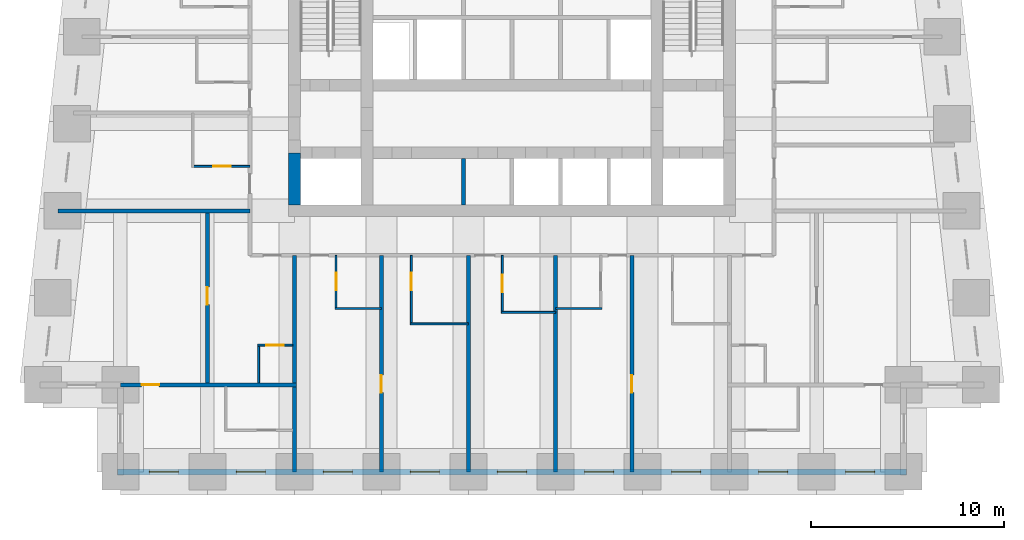
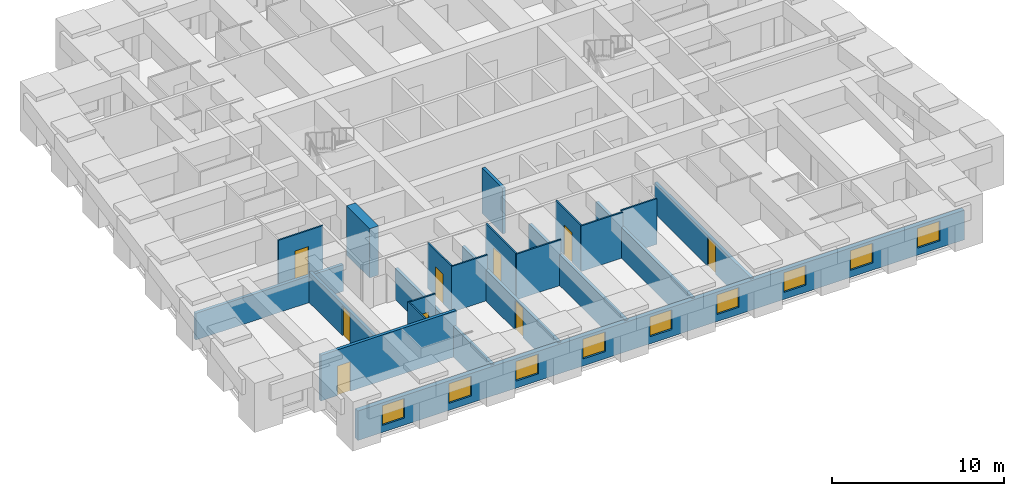
# One storey, part 2 of 8: 21 walls, 9 doors, 9 windows, 18 openings.
"""IFC4 building model written with IfcOpenShell, lengths in metres."""

from ifc_helpers import new_model, si_unit, direction, frame, frame_2d, origin, place, context, subcontext, project, spatial, rectangle, extrude, material, layer, layer_set, type_object, element, fill, save


model = new_model("IFC4")

# Units and contexts
model_context = context("Model", 3, precision=1e-05, world=origin(), true_north=direction((0.0, 1.0)))
body_context = subcontext(model_context, "Body", "Model", "MODEL_VIEW")
ifc_project = project(units=[si_unit("LENGTHUNIT", "METRE"), si_unit("AREAUNIT", "SQUARE_METRE"), si_unit("VOLUMEUNIT", "CUBIC_METRE"), si_unit("PLANEANGLEUNIT", "RADIAN"), si_unit("MASSUNIT", "GRAM", prefix="KILO")], contexts=[model_context])

# Site, building, storey
site_placement = place(None, origin())
site = spatial("IfcSite", under=ifc_project, at=site_placement, CompositionType="ELEMENT")
building_placement = place(site_placement, origin())
building = spatial("IfcBuilding", under=site, at=building_placement, Name="Kilele Tower Hotel", CompositionType="ELEMENT")
storey_placement = place(building_placement, frame((0.0, 0.0, 142.39990234375)))
storey = spatial("IfcBuildingStorey", under=building, at=storey_placement, Name="L37", CompositionType="ELEMENT", Elevation=142.39990234375)

# Wall
ifc_material_1 = material(Name="Moisture-resistant board")
ifc_layer_1 = layer(ifc_material_1, 0.10009765625)
ifc_layer_set_1 = layer_set([ifc_layer_1], Name="Moisture-resistant board")
wall_type_1 = type_object("IfcWallType", Name="Bathroom partition 100", PredefinedType="PLUMBINGWALL", material=ifc_layer_set_1)
wall_1_placement = place(storey_placement, frame((15.60009765625, 8.449951171875, 0.0), z_axis=(0.0, 0.0, 1.0), x_axis=(1.0, 0.0, 0.0)))
element("IfcWall", 1, at=wall_1_placement, inside=storey, type_object=wall_type_1, Name="Bathroom partition 100 L37", PredefinedType="PLUMBINGWALL", context=body_context, shape_type="SweptSolid", body=[
    extrude(rectangle(XDim=2.39990234375, YDim=0.10009765625, at=frame_2d((1.199951171875, 0.0))), origin(), (0.0, 0.0, 1.0), 3.25),
])

# Wall, opening, door
wall_2_placement = place(storey_placement, frame((15.64990234375, 11.199951171875, 0.0), z_axis=(0.0, 0.0, 1.0), x_axis=(0.0, -1.0, 0.0)))
wall_2 = element("IfcWall", 2, at=wall_2_placement, inside=storey, type_object=wall_type_1, Name="Bathroom partition 100 L37", PredefinedType="PLUMBINGWALL", context=body_context, shape_type="SweptSolid", body=[
    extrude(rectangle(XDim=2.800048828125, YDim=0.10009765625, at=frame_2d((1.39990234375, 0.0))), origin(), (0.0, 0.0, 1.0), 3.25),
])
opening_1_placement = place(wall_2_placement, frame((1.7998046875, 0.0, 0.0), z_axis=(0.0, 0.0, 1.0), x_axis=(-1.0, 0.0, 0.0)))
opening_1 = element("IfcOpeningElement", 3, at=opening_1_placement, cuts=wall_2, Name="Opening D2A", PredefinedType="OPENING", context=body_context, shape_type="SweptSolid", body=[
    extrude(rectangle(XDim=0.89990234375, YDim=2.10009765625, at=frame_2d((0.449951171875, 1.050048828125))), frame((0.0, 0.06005859375, 0.0), z_axis=(0.0, -1.0, 0.0), x_axis=(1.0, 0.0, 0.0)), (0.0, 0.0, 1.0), 0.1201171875),
])
ifc_material_2 = material(Name="Timber door leaf in hardwood frame", Category="wood")
door_type_1 = type_object("IfcDoorType", Name="Bathroom door 900", OperationType="SINGLE_SWING_LEFT", PredefinedType="DOOR", material=ifc_material_2)
door_1_placement = place(opening_1_placement, origin())
door_1 = element("IfcDoor", 4, at=door_1_placement, inside=storey, type_object=door_type_1, Name="Bathroom door 3701B", OperationType="SINGLE_SWING_RIGHT", OverallHeight=2.10009765625, OverallWidth=0.89990234375, PredefinedType="DOOR", context=body_context, shape_type="SweptSolid", body=[
    extrude(rectangle(XDim=0.89990234375, YDim=2.10009765625, at=frame_2d((0.449951171875, 1.050048828125))), frame((0.0, 0.02490234375, 0.0), z_axis=(0.0, -1.0, 0.0), x_axis=(1.0, 0.0, 0.0)), (0.0, 0.0, 1.0), 0.050048828125),
])
fill(opening_1, door_1)

# Wall
wall_3_placement = place(storey_placement, frame((19.5, 7.64990234375, 0.0), z_axis=(0.0, 0.0, 1.0), x_axis=(1.0, 0.0, 0.0)))
element("IfcWall", 5, at=wall_3_placement, inside=storey, type_object=wall_type_1, Name="Bathroom partition 100 L37", PredefinedType="PLUMBINGWALL", context=body_context, shape_type="SweptSolid", body=[
    extrude(rectangle(XDim=3.0, YDim=0.10009765625, at=frame_2d((1.5, 0.0))), origin(), (0.0, 0.0, 1.0), 3.25),
])

# Wall, opening, door
wall_4_placement = place(storey_placement, frame((19.550048828125, 11.199951171875, 0.0), z_axis=(0.0, 0.0, 1.0), x_axis=(0.0, -1.0, 0.0)))
wall_4 = element("IfcWall", 6, at=wall_4_placement, inside=storey, type_object=wall_type_1, Name="Bathroom partition 100 L37", PredefinedType="PLUMBINGWALL", context=body_context, shape_type="SweptSolid", body=[
    extrude(rectangle(XDim=3.599853515625, YDim=0.10009765625, at=frame_2d((1.7998046875, 0.0))), origin(), (0.0, 0.0, 1.0), 3.25),
])
opening_2_placement = place(wall_4_placement, frame((1.7998046875, 0.0, 0.0), z_axis=(0.0, 0.0, 1.0), x_axis=(-1.0, 0.0, 0.0)))
opening_2 = element("IfcOpeningElement", 7, at=opening_2_placement, cuts=wall_4, Name="Opening D2A", PredefinedType="OPENING", context=body_context, shape_type="SweptSolid", body=[
    extrude(rectangle(XDim=0.89990234375, YDim=2.10009765625, at=frame_2d((0.449951171875, 1.050048828125))), frame((0.0, 0.06005859375, 0.0), z_axis=(0.0, -1.0, 0.0), x_axis=(1.0, 0.0, 0.0)), (0.0, 0.0, 1.0), 0.1201171875),
])
door_2_placement = place(opening_2_placement, origin())
door_2 = element("IfcDoor", 8, at=door_2_placement, inside=storey, type_object=door_type_1, Name="Bathroom door 3702B", OperationType="SINGLE_SWING_RIGHT", OverallHeight=2.10009765625, OverallWidth=0.89990234375, PredefinedType="DOOR", context=body_context, shape_type="SweptSolid", body=[
    extrude(rectangle(XDim=0.89990234375, YDim=2.10009765625, at=frame_2d((0.449951171875, 1.050048828125))), frame((0.0, 0.02490234375, 0.0), z_axis=(0.0, -1.0, 0.0), x_axis=(1.0, 0.0, 0.0)), (0.0, 0.0, 1.0), 0.050048828125),
])
fill(opening_2, door_2)

# Wall
wall_5_placement = place(storey_placement, frame((24.199951171875, 8.25, 0.0), z_axis=(0.0, 0.0, 1.0), x_axis=(1.0, 0.0, 0.0)))
element("IfcWall", 9, at=wall_5_placement, inside=storey, type_object=wall_type_1, Name="Bathroom partition 100 L37", PredefinedType="PLUMBINGWALL", context=body_context, shape_type="SweptSolid", body=[
    extrude(rectangle(XDim=2.800048828125, YDim=0.10009765625, at=frame_2d((1.39990234375, 0.0))), origin(), (0.0, 0.0, 1.0), 3.25),
])

# Wall, opening, door
wall_6_placement = place(storey_placement, frame((24.25, 11.199951171875, 0.0), z_axis=(0.0, 0.0, 1.0), x_axis=(0.0, -1.0, 0.0)))
wall_6 = element("IfcWall", 10, at=wall_6_placement, inside=storey, type_object=wall_type_1, Name="Bathroom partition 100 L37", PredefinedType="PLUMBINGWALL", context=body_context, shape_type="SweptSolid", body=[
    extrude(rectangle(XDim=3.0, YDim=0.10009765625, at=frame_2d((1.5, 0.0))), origin(), (0.0, 0.0, 1.0), 3.25),
])
opening_3_placement = place(wall_6_placement, frame((1.89990234375, 0.0, 0.0), z_axis=(0.0, 0.0, 1.0), x_axis=(-1.0, 0.0, 0.0)))
opening_3 = element("IfcOpeningElement", 11, at=opening_3_placement, cuts=wall_6, Name="Opening D2A", PredefinedType="OPENING", context=body_context, shape_type="SweptSolid", body=[
    extrude(rectangle(XDim=0.89990234375, YDim=2.10009765625, at=frame_2d((0.449951171875, 1.050048828125))), frame((0.0, 0.06005859375, 0.0), z_axis=(0.0, -1.0, 0.0), x_axis=(1.0, 0.0, 0.0)), (0.0, 0.0, 1.0), 0.1201171875),
])
door_3_placement = place(opening_3_placement, origin())
door_3 = element("IfcDoor", 12, at=door_3_placement, inside=storey, type_object=door_type_1, Name="Bathroom door 3703B", OperationType="SINGLE_SWING_RIGHT", OverallHeight=2.10009765625, OverallWidth=0.89990234375, PredefinedType="DOOR", context=body_context, shape_type="SweptSolid", body=[
    extrude(rectangle(XDim=0.89990234375, YDim=2.10009765625, at=frame_2d((0.449951171875, 1.050048828125))), frame((0.0, 0.02490234375, 0.0), z_axis=(0.0, -1.0, 0.0), x_axis=(1.0, 0.0, 0.0)), (0.0, 0.0, 1.0), 0.050048828125),
])
fill(opening_3, door_3)

# Wall
wall_7_placement = place(storey_placement, frame((27.0, 8.449951171875, 0.0), z_axis=(0.0, 0.0, 1.0), x_axis=(1.0, 0.0, 0.0)))
element("IfcWall", 13, at=wall_7_placement, inside=storey, type_object=wall_type_1, Name="Bathroom partition 100 L37", PredefinedType="PLUMBINGWALL", context=body_context, shape_type="SweptSolid", body=[
    extrude(rectangle(XDim=2.39990234375, YDim=0.10009765625, at=frame_2d((1.199951171875, 0.0))), origin(), (0.0, 0.0, 1.0), 3.25),
])

# Wall, opening, door
wall_8_placement = place(storey_placement, frame((11.199951171875, 15.800048828125, 0.0), z_axis=(0.0, 0.0, 1.0), x_axis=(-1.0, 0.0, 0.0)))
wall_8 = element("IfcWall", 14, at=wall_8_placement, inside=storey, type_object=wall_type_1, Name="Bathroom partition 100 L37", PredefinedType="PLUMBINGWALL", context=body_context, shape_type="SweptSolid", body=[
    extrude(rectangle(XDim=3.0, YDim=0.10009765625, at=frame_2d((1.5, 0.0))), origin(), (0.0, 0.0, 1.0), 3.25),
])
opening_4_placement = place(wall_8_placement, frame((1.0, 0.0, 0.0)))
opening_4 = element("IfcOpeningElement", 15, at=opening_4_placement, cuts=wall_8, Name="Opening D2A", PredefinedType="OPENING", context=body_context, shape_type="SweptSolid", body=[
    extrude(rectangle(XDim=0.89990234375, YDim=2.10009765625, at=frame_2d((0.449951171875, 1.050048828125))), frame((0.0, 0.06005859375, 0.0), z_axis=(0.0, -1.0, 0.0), x_axis=(1.0, 0.0, 0.0)), (0.0, 0.0, 1.0), 0.1201171875),
])
door_4_placement = place(opening_4_placement, origin())
door_4 = element("IfcDoor", 16, at=door_4_placement, inside=storey, type_object=door_type_1, Name="Bathroom door 3714B", OperationType="SINGLE_SWING_LEFT", OverallHeight=2.10009765625, OverallWidth=0.89990234375, PredefinedType="DOOR", context=body_context, shape_type="SweptSolid", body=[
    extrude(rectangle(XDim=0.89990234375, YDim=2.10009765625, at=frame_2d((0.449951171875, 1.050048828125))), frame((0.0, 0.02490234375, 0.0), z_axis=(0.0, -1.0, 0.0), x_axis=(1.0, 0.0, 0.0)), (0.0, 0.0, 1.0), 0.050048828125),
])
fill(opening_4, door_4)

# Wall
wall_9_placement = place(storey_placement, frame((11.64990234375, 4.60009765625, 0.0), z_axis=(0.0, 0.0, 1.0), x_axis=(0.0, 1.0, 0.0)))
element("IfcWall", 17, at=wall_9_placement, inside=storey, type_object=wall_type_1, Name="Bathroom partition 100 L37", PredefinedType="PLUMBINGWALL", context=body_context, shape_type="SweptSolid", body=[
    extrude(rectangle(XDim=2.0, YDim=0.10009765625, at=frame_2d((1.0, 0.0))), origin(), (0.0, 0.0, 1.0), 3.25),
])

# Wall, opening, door
wall_10_placement = place(storey_placement, frame((13.39990234375, 6.550048828125, 0.0), z_axis=(0.0, 0.0, 1.0), x_axis=(-1.0, 0.0, 0.0)))
wall_10 = element("IfcWall", 18, at=wall_10_placement, inside=storey, type_object=wall_type_1, Name="Bathroom partition 100 L37", PredefinedType="PLUMBINGWALL", context=body_context, shape_type="SweptSolid", body=[
    extrude(rectangle(XDim=1.7998046875, YDim=0.10009765625, at=frame_2d((0.89990234375, 0.0))), origin(), (0.0, 0.0, 1.0), 3.25),
])
opening_5_placement = place(wall_10_placement, frame((1.349853515625, 0.0, 0.0), z_axis=(0.0, 0.0, 1.0), x_axis=(-1.0, 0.0, 0.0)))
opening_5 = element("IfcOpeningElement", 19, at=opening_5_placement, cuts=wall_10, Name="Opening D2A", PredefinedType="OPENING", context=body_context, shape_type="SweptSolid", body=[
    extrude(rectangle(XDim=0.89990234375, YDim=2.10009765625, at=frame_2d((0.449951171875, 1.050048828125))), frame((0.0, 0.06005859375, 0.0), z_axis=(0.0, -1.0, 0.0), x_axis=(1.0, 0.0, 0.0)), (0.0, 0.0, 1.0), 0.1201171875),
])
door_5_placement = place(opening_5_placement, origin())
door_5 = element("IfcDoor", 20, at=door_5_placement, inside=storey, type_object=door_type_1, Name="Bathroom door 3717P", OperationType="SINGLE_SWING_RIGHT", OverallHeight=2.10009765625, OverallWidth=0.89990234375, PredefinedType="DOOR", context=body_context, shape_type="SweptSolid", body=[
    extrude(rectangle(XDim=0.89990234375, YDim=2.10009765625, at=frame_2d((0.449951171875, 1.050048828125))), frame((0.0, 0.02490234375, 0.0), z_axis=(0.0, -1.0, 0.0), x_axis=(1.0, 0.0, 0.0)), (0.0, 0.0, 1.0), 0.050048828125),
])
fill(opening_5, door_5)

# Wall
ifc_material_3 = material(Name="Concrete C60/75", Category="concrete")
ifc_layer_2 = layer(ifc_material_3, 0.60009765625)
ifc_layer_set_2 = layer_set([ifc_layer_2], Name="Concrete C60/75")
wall_type_2 = type_object("IfcWallType", Name="Core wall 600 C60/75", PredefinedType="SHEAR", material=ifc_layer_set_2)
wall_11_placement = place(storey_placement, frame((13.5, 16.5, 0.0), z_axis=(0.0, 0.0, 1.0), x_axis=(0.0, -1.0, 0.0)))
element("IfcWall", 21, at=wall_11_placement, inside=storey, type_object=wall_type_2, Name="Core wall W3 L37", PredefinedType="SHEAR", context=body_context, shape_type="SweptSolid", body=[
    extrude(rectangle(XDim=2.699951171875, YDim=0.60009765625, at=frame_2d((1.35009765625, 0.0))), origin(), (0.0, 0.0, 1.0), 3.5),
])

# Wall, opening, door
ifc_material_4 = material(Name="Blockwork, plastered both sides", Category="masonry")
ifc_layer_3 = layer(ifc_material_4, 0.199951171875)
ifc_layer_set_3 = layer_set([ifc_layer_3], Name="Blockwork, plastered both sides")
wall_type_3 = type_object("IfcWallType", Name="Partition wall 200", PredefinedType="PARTITIONING", material=ifc_layer_set_3)
wall_12_placement = place(storey_placement, frame((9.0, 4.60009765625, 0.0), z_axis=(0.0, 0.0, 1.0), x_axis=(0.0, 1.0, 0.0)))
wall_12 = element("IfcWall", 22, at=wall_12_placement, inside=storey, type_object=wall_type_3, Name="Partition wall 200 L37", PredefinedType="PARTITIONING", context=body_context, shape_type="SweptSolid", body=[
    extrude(rectangle(XDim=8.7998046875, YDim=0.199951171875, at=frame_2d((4.39990234375, 0.0))), origin(), (0.0, 0.0, 1.0), 2.2001953125),
])
opening_6_placement = place(wall_12_placement, frame((4.050048828125, 0.0, 0.0)))
opening_6 = element("IfcOpeningElement", 23, at=opening_6_placement, cuts=wall_12, Name="Opening D3", PredefinedType="OPENING", context=body_context, shape_type="SweptSolid", body=[
    extrude(rectangle(XDim=0.89990234375, YDim=2.10009765625, at=frame_2d((0.449951171875, 1.050048828125))), frame((0.0, 0.10986328125, 0.0), z_axis=(0.0, -1.0, 0.0), x_axis=(1.0, 0.0, 0.0)), (0.0, 0.0, 1.0), 0.219970703125),
])
ifc_material_5 = material(Name="Timber door leaf in hardwood frame", Category="wood")
door_type_2 = type_object("IfcDoorType", Name="Suite internal door 900", OperationType="SINGLE_SWING_LEFT", PredefinedType="DOOR", material=ifc_material_5)
door_6_placement = place(opening_6_placement, origin())
door_6 = element("IfcDoor", 24, at=door_6_placement, inside=storey, type_object=door_type_2, Name="Suite door 3718", OperationType="SINGLE_SWING_RIGHT", OverallHeight=2.10009765625, OverallWidth=0.89990234375, PredefinedType="DOOR", context=body_context, shape_type="SweptSolid", body=[
    extrude(rectangle(XDim=0.89990234375, YDim=2.10009765625, at=frame_2d((0.449951171875, 1.050048828125))), frame((0.0, 0.02490234375, 0.0), z_axis=(0.0, -1.0, 0.0), x_axis=(1.0, 0.0, 0.0)), (0.0, 0.0, 1.0), 0.050048828125),
])
fill(opening_6, door_6)

ifc_material_6 = material(Name="Blockwork, plastered both sides", Category="masonry")
ifc_layer_4 = layer(ifc_material_6, 0.199951171875)
ifc_layer_set_4 = layer_set([ifc_layer_4], Name="Blockwork, plastered both sides")
wall_type_4 = type_object("IfcWallType", Name="Party wall 200", PredefinedType="PARTITIONING", material=ifc_layer_set_4)
wall_13_placement = place(storey_placement, frame((18.0, 11.199951171875, 0.0), z_axis=(0.0, 0.0, 1.0), x_axis=(0.0, -1.0, 0.0)))
wall_13 = element("IfcWall", 25, at=wall_13_placement, inside=storey, type_object=wall_type_4, Name="Party wall 200 L37", PredefinedType="PARTITIONING", context=body_context, shape_type="SweptSolid", body=[
    extrude(rectangle(XDim=11.199951171875, YDim=0.199951171875, at=frame_2d((5.60009765625, 0.0))), origin(), (0.0, 0.0, 1.0), 2.2001953125),
])
opening_7_placement = place(wall_13_placement, frame((6.199951171875, 0.0, 0.0)))
opening_7 = element("IfcOpeningElement", 26, at=opening_7_placement, cuts=wall_13, Name="Opening D3", PredefinedType="OPENING", context=body_context, shape_type="SweptSolid", body=[
    extrude(rectangle(XDim=0.89990234375, YDim=2.10009765625, at=frame_2d((0.449951171875, 1.050048828125))), frame((0.0, 0.10986328125, 0.0), z_axis=(0.0, -1.0, 0.0), x_axis=(1.0, 0.0, 0.0)), (0.0, 0.0, 1.0), 0.219970703125),
])
door_7_placement = place(opening_7_placement, origin())
door_7 = element("IfcDoor", 27, at=door_7_placement, inside=storey, type_object=door_type_2, Name="Suite door 3702", OperationType="SINGLE_SWING_RIGHT", OverallHeight=2.10009765625, OverallWidth=0.89990234375, PredefinedType="DOOR", context=body_context, shape_type="SweptSolid", body=[
    extrude(rectangle(XDim=0.89990234375, YDim=2.10009765625, at=frame_2d((0.449951171875, 1.050048828125))), frame((0.0, 0.02490234375, 0.0), z_axis=(0.0, -1.0, 0.0), x_axis=(1.0, 0.0, 0.0)), (0.0, 0.0, 1.0), 0.050048828125),
])
fill(opening_7, door_7)

# Walls
for number, where, z_axis, x_axis, name in (
    (28, (22.5, 11.199951171875, 0.0), (0.0, 0.0, 1.0), (0.0, -1.0, 0.0), "Party wall 200 L37"),
    (29, (27.0, 11.199951171875, 0.0), (0.0, 0.0, 1.0), (0.0, -1.0, 0.0), "Party wall 200 L37"),
):
    element("IfcWall", number, at=place(storey_placement, frame(where, z_axis=z_axis, x_axis=x_axis)), inside=storey, type_object=wall_type_4, Name=name, PredefinedType="PARTITIONING", context=body_context, shape_type="SweptSolid", body=[
        extrude(rectangle(XDim=11.199951171875, YDim=0.199951171875, at=frame_2d((5.60009765625, 0.0))), origin(), (0.0, 0.0, 1.0), 2.2001953125),
    ])

# Wall, opening, door
wall_14_placement = place(storey_placement, frame((30.949951171875, 11.199951171875, 0.0), z_axis=(0.0, 0.0, 1.0), x_axis=(0.0, -1.0, 0.0)))
wall_14 = element("IfcWall", 30, at=wall_14_placement, inside=storey, type_object=wall_type_4, Name="Party wall 200 L37", PredefinedType="PARTITIONING", context=body_context, shape_type="SweptSolid", body=[
    extrude(rectangle(XDim=11.199951171875, YDim=0.199951171875, at=frame_2d((5.60009765625, 0.0))), origin(), (0.0, 0.0, 1.0), 2.2001953125),
])
opening_8_placement = place(wall_14_placement, frame((6.199951171875, 0.0, 0.0)))
opening_8 = element("IfcOpeningElement", 31, at=opening_8_placement, cuts=wall_14, Name="Opening D3", PredefinedType="OPENING", context=body_context, shape_type="SweptSolid", body=[
    extrude(rectangle(XDim=0.89990234375, YDim=2.10009765625, at=frame_2d((0.449951171875, 1.050048828125))), frame((0.0, 0.10986328125, 0.0), z_axis=(0.0, -1.0, 0.0), x_axis=(1.0, 0.0, 0.0)), (0.0, 0.0, 1.0), 0.219970703125),
])
door_8_placement = place(opening_8_placement, origin())
door_8 = element("IfcDoor", 32, at=door_8_placement, inside=storey, type_object=door_type_2, Name="Suite door 3705", OperationType="SINGLE_SWING_RIGHT", OverallHeight=2.10009765625, OverallWidth=0.89990234375, PredefinedType="DOOR", context=body_context, shape_type="SweptSolid", body=[
    extrude(rectangle(XDim=0.89990234375, YDim=2.10009765625, at=frame_2d((0.449951171875, 1.050048828125))), frame((0.0, 0.02490234375, 0.0), z_axis=(0.0, -1.0, 0.0), x_axis=(1.0, 0.0, 0.0)), (0.0, 0.0, 1.0), 0.050048828125),
])
fill(opening_8, door_8)

# Walls
wall_15_placement = place(storey_placement, frame((11.199951171875, 13.5, 0.0), z_axis=(0.0, 0.0, 1.0), x_axis=(-1.0, 0.0, 0.0)))
element("IfcWall", 33, at=wall_15_placement, inside=storey, type_object=wall_type_4, Name="Party wall 200 L37", PredefinedType="PARTITIONING", context=body_context, shape_type="SweptSolid", body=[
    extrude(rectangle(XDim=9.921142578125, YDim=0.199951171875, at=frame_2d((4.96044921875, 0.0))), origin(), (0.0, 0.0, 1.0), 1.900146484375),
])
wall_16_placement = place(storey_placement, frame((13.5, 11.199951171875, 0.0), z_axis=(0.0, 0.0, 1.0), x_axis=(0.0, -1.0, 0.0)))
element("IfcWall", 34, at=wall_16_placement, inside=storey, type_object=wall_type_4, Name="Party wall 200 L37", PredefinedType="PARTITIONING", context=body_context, shape_type="SweptSolid", body=[
    extrude(rectangle(XDim=11.199951171875, YDim=0.199951171875, at=frame_2d((5.60009765625, 0.0))), origin(), (0.0, 0.0, 1.0), 2.2001953125),
])

# Wall, opening, door
wall_17_placement = place(storey_placement, frame((13.60009765625, 4.5, 0.0), z_axis=(0.0, 0.0, 1.0), x_axis=(-1.0, 0.0, 0.0)))
wall_17 = element("IfcWall", 35, at=wall_17_placement, inside=storey, type_object=wall_type_4, Name="Party wall 200 L37", PredefinedType="PARTITIONING", context=body_context, shape_type="SweptSolid", body=[
    extrude(rectangle(XDim=9.10009765625, YDim=0.199951171875, at=frame_2d((4.550048828125, 0.0))), origin(), (0.0, 0.0, 1.0), 3.25),
])
opening_9_placement = place(wall_17_placement, frame((7.10009765625, 0.0, 0.0)))
opening_9 = element("IfcOpeningElement", 36, at=opening_9_placement, cuts=wall_17, Name="Opening D3", PredefinedType="OPENING", context=body_context, shape_type="SweptSolid", body=[
    extrude(rectangle(XDim=0.89990234375, YDim=2.10009765625, at=frame_2d((0.449951171875, 1.050048828125))), frame((0.0, 0.10986328125, 0.0), z_axis=(0.0, -1.0, 0.0), x_axis=(1.0, 0.0, 0.0)), (0.0, 0.0, 1.0), 0.219970703125),
])
door_9_placement = place(opening_9_placement, origin())
door_9 = element("IfcDoor", 37, at=door_9_placement, inside=storey, type_object=door_type_2, Name="Suite door 3719", OperationType="SINGLE_SWING_RIGHT", OverallHeight=2.10009765625, OverallWidth=0.89990234375, PredefinedType="DOOR", context=body_context, shape_type="SweptSolid", body=[
    extrude(rectangle(XDim=0.89990234375, YDim=2.10009765625, at=frame_2d((0.449951171875, 1.050048828125))), frame((0.0, 0.02490234375, 0.0), z_axis=(0.0, -1.0, 0.0), x_axis=(1.0, 0.0, 0.0)), (0.0, 0.0, 1.0), 0.050048828125),
])
fill(opening_9, door_9)

# Wall, openings, windows
ifc_material_7 = material(Name="Concrete C40/50 precast", Category="concrete")
ifc_layer_5 = layer(ifc_material_7, 0.260009765625, Name="Precast backing", Category="LoadBearing")
ifc_material_8 = material(Name="Reconstituted stone finish", Category="masonry")
ifc_layer_6 = layer(ifc_material_8, 0.0400390625, Name="Face mix", Category="Finish")
ifc_layer_set_5 = layer_set([ifc_layer_5, ifc_layer_6], Name="Precast concrete C40/50, reconstituted stone finish")
wall_type_5 = type_object("IfcWallType", Name="Precast stone facade wall 300", PredefinedType="STANDARD", material=ifc_layer_set_5)
wall_18_placement = place(storey_placement, frame((4.35009765625, 0.0, 0.0), z_axis=(0.0, 0.0, 1.0), x_axis=(1.0, 0.0, 0.0)))
wall_18 = element("IfcWall", 38, at=wall_18_placement, inside=storey, type_object=wall_type_5, Name="Facade wall L37 edge 3", PredefinedType="STANDARD", context=body_context, shape_type="SweptSolid", body=[
    extrude(rectangle(XDim=40.7998046875, YDim=0.300048828125, at=frame_2d((20.39990234375, 0.0))), origin(), (0.0, 0.0, 1.0), 2.10009765625),
])
opening_10_placement = place(wall_18_placement, frame((1.64990234375, 0.0, 0.5)))
opening_10 = element("IfcOpeningElement", 39, at=opening_10_placement, cuts=wall_18, Name="Opening W2", PredefinedType="OPENING", context=body_context, shape_type="SweptSolid", body=[
    extrude(rectangle(XDim=1.5, YDim=1.39990234375, at=frame_2d((0.75, 0.699951171875))), frame((0.0, 0.159912109375, 0.0), z_axis=(0.0, -1.0, 0.0), x_axis=(1.0, 0.0, 0.0)), (0.0, 0.0, 1.0), 0.320068359375),
])
opening_11_placement = place(wall_18_placement, frame((6.14990234375, 0.0, 0.5)))
opening_11 = element("IfcOpeningElement", 40, at=opening_11_placement, cuts=wall_18, Name="Opening W2", PredefinedType="OPENING", context=body_context, shape_type="SweptSolid", body=[
    extrude(rectangle(XDim=1.5, YDim=1.39990234375, at=frame_2d((0.75, 0.699951171875))), frame((0.0, 0.159912109375, 0.0), z_axis=(0.0, -1.0, 0.0), x_axis=(1.0, 0.0, 0.0)), (0.0, 0.0, 1.0), 0.320068359375),
])
opening_12_placement = place(wall_18_placement, frame((10.64990234375, 0.0, 0.5)))
opening_12 = element("IfcOpeningElement", 41, at=opening_12_placement, cuts=wall_18, Name="Opening W2", PredefinedType="OPENING", context=body_context, shape_type="SweptSolid", body=[
    extrude(rectangle(XDim=1.5, YDim=1.39990234375, at=frame_2d((0.75, 0.699951171875))), frame((0.0, 0.159912109375, 0.0), z_axis=(0.0, -1.0, 0.0), x_axis=(1.0, 0.0, 0.0)), (0.0, 0.0, 1.0), 0.320068359375),
])
opening_13_placement = place(wall_18_placement, frame((15.14990234375, 0.0, 0.5)))
opening_13 = element("IfcOpeningElement", 42, at=opening_13_placement, cuts=wall_18, Name="Opening W2", PredefinedType="OPENING", context=body_context, shape_type="SweptSolid", body=[
    extrude(rectangle(XDim=1.5, YDim=1.39990234375, at=frame_2d((0.75, 0.699951171875))), frame((0.0, 0.159912109375, 0.0), z_axis=(0.0, -1.0, 0.0), x_axis=(1.0, 0.0, 0.0)), (0.0, 0.0, 1.0), 0.320068359375),
])
opening_14_placement = place(wall_18_placement, frame((19.64990234375, 0.0, 0.5)))
opening_14 = element("IfcOpeningElement", 43, at=opening_14_placement, cuts=wall_18, Name="Opening W2", PredefinedType="OPENING", context=body_context, shape_type="SweptSolid", body=[
    extrude(rectangle(XDim=1.5, YDim=1.39990234375, at=frame_2d((0.75, 0.699951171875))), frame((0.0, 0.159912109375, 0.0), z_axis=(0.0, -1.0, 0.0), x_axis=(1.0, 0.0, 0.0)), (0.0, 0.0, 1.0), 0.320068359375),
])
opening_15_placement = place(wall_18_placement, frame((24.14990234375, 0.0, 0.5)))
opening_15 = element("IfcOpeningElement", 44, at=opening_15_placement, cuts=wall_18, Name="Opening W2", PredefinedType="OPENING", context=body_context, shape_type="SweptSolid", body=[
    extrude(rectangle(XDim=1.5, YDim=1.39990234375, at=frame_2d((0.75, 0.699951171875))), frame((0.0, 0.159912109375, 0.0), z_axis=(0.0, -1.0, 0.0), x_axis=(1.0, 0.0, 0.0)), (0.0, 0.0, 1.0), 0.320068359375),
])
opening_16_placement = place(wall_18_placement, frame((28.64990234375, 0.0, 0.5)))
opening_16 = element("IfcOpeningElement", 45, at=opening_16_placement, cuts=wall_18, Name="Opening W2", PredefinedType="OPENING", context=body_context, shape_type="SweptSolid", body=[
    extrude(rectangle(XDim=1.5, YDim=1.39990234375, at=frame_2d((0.75, 0.699951171875))), frame((0.0, 0.159912109375, 0.0), z_axis=(0.0, -1.0, 0.0), x_axis=(1.0, 0.0, 0.0)), (0.0, 0.0, 1.0), 0.320068359375),
])
opening_17_placement = place(wall_18_placement, frame((33.14990234375, 0.0, 0.5)))
opening_17 = element("IfcOpeningElement", 46, at=opening_17_placement, cuts=wall_18, Name="Opening W2", PredefinedType="OPENING", context=body_context, shape_type="SweptSolid", body=[
    extrude(rectangle(XDim=1.5, YDim=1.39990234375, at=frame_2d((0.75, 0.699951171875))), frame((0.0, 0.159912109375, 0.0), z_axis=(0.0, -1.0, 0.0), x_axis=(1.0, 0.0, 0.0)), (0.0, 0.0, 1.0), 0.320068359375),
])
opening_18_placement = place(wall_18_placement, frame((37.64990234375, 0.0, 0.5)))
opening_18 = element("IfcOpeningElement", 47, at=opening_18_placement, cuts=wall_18, Name="Opening W2", PredefinedType="OPENING", context=body_context, shape_type="SweptSolid", body=[
    extrude(rectangle(XDim=1.5, YDim=1.39990234375, at=frame_2d((0.75, 0.699951171875))), frame((0.0, 0.159912109375, 0.0), z_axis=(0.0, -1.0, 0.0), x_axis=(1.0, 0.0, 0.0)), (0.0, 0.0, 1.0), 0.320068359375),
])
ifc_material_9 = material(Name="Aluminium frame, clear double glazing", Category="aluminium")
window_type = type_object("IfcWindowType", Name="Window W2 1500 x 1400", PartitioningType="SINGLE_PANEL", PredefinedType="WINDOW", material=ifc_material_9)
window_1_placement = place(opening_10_placement, origin())
window_1 = element("IfcWindow", 48, at=window_1_placement, inside=storey, type_object=window_type, Name="Window L37", OverallHeight=1.39990234375, OverallWidth=1.5, PartitioningType="SINGLE_PANEL", PredefinedType="WINDOW", context=body_context, shape_type="SweptSolid", body=[
    extrude(rectangle(XDim=1.5, YDim=1.39990234375, at=frame_2d((0.75, 0.699951171875))), frame((0.0, 0.030029296875, 0.0), z_axis=(0.0, -1.0, 0.0), x_axis=(1.0, 0.0, 0.0)), (0.0, 0.0, 1.0), 0.06005859375),
])
fill(opening_10, window_1)
window_2_placement = place(opening_11_placement, origin())
window_2 = element("IfcWindow", 49, at=window_2_placement, inside=storey, type_object=window_type, Name="Window L37", OverallHeight=1.39990234375, OverallWidth=1.5, PartitioningType="SINGLE_PANEL", PredefinedType="WINDOW", context=body_context, shape_type="SweptSolid", body=[
    extrude(rectangle(XDim=1.5, YDim=1.39990234375, at=frame_2d((0.75, 0.699951171875))), frame((0.0, 0.030029296875, 0.0), z_axis=(0.0, -1.0, 0.0), x_axis=(1.0, 0.0, 0.0)), (0.0, 0.0, 1.0), 0.06005859375),
])
fill(opening_11, window_2)
window_3_placement = place(opening_12_placement, origin())
window_3 = element("IfcWindow", 50, at=window_3_placement, inside=storey, type_object=window_type, Name="Window L37", OverallHeight=1.39990234375, OverallWidth=1.5, PartitioningType="SINGLE_PANEL", PredefinedType="WINDOW", context=body_context, shape_type="SweptSolid", body=[
    extrude(rectangle(XDim=1.5, YDim=1.39990234375, at=frame_2d((0.75, 0.699951171875))), frame((0.0, 0.030029296875, 0.0), z_axis=(0.0, -1.0, 0.0), x_axis=(1.0, 0.0, 0.0)), (0.0, 0.0, 1.0), 0.06005859375),
])
fill(opening_12, window_3)
window_4_placement = place(opening_13_placement, origin())
window_4 = element("IfcWindow", 51, at=window_4_placement, inside=storey, type_object=window_type, Name="Window L37", OverallHeight=1.39990234375, OverallWidth=1.5, PartitioningType="SINGLE_PANEL", PredefinedType="WINDOW", context=body_context, shape_type="SweptSolid", body=[
    extrude(rectangle(XDim=1.5, YDim=1.39990234375, at=frame_2d((0.75, 0.699951171875))), frame((0.0, 0.030029296875, 0.0), z_axis=(0.0, -1.0, 0.0), x_axis=(1.0, 0.0, 0.0)), (0.0, 0.0, 1.0), 0.06005859375),
])
fill(opening_13, window_4)
window_5_placement = place(opening_14_placement, origin())
window_5 = element("IfcWindow", 52, at=window_5_placement, inside=storey, type_object=window_type, Name="Window L37", OverallHeight=1.39990234375, OverallWidth=1.5, PartitioningType="SINGLE_PANEL", PredefinedType="WINDOW", context=body_context, shape_type="SweptSolid", body=[
    extrude(rectangle(XDim=1.5, YDim=1.39990234375, at=frame_2d((0.75, 0.699951171875))), frame((0.0, 0.030029296875, 0.0), z_axis=(0.0, -1.0, 0.0), x_axis=(1.0, 0.0, 0.0)), (0.0, 0.0, 1.0), 0.06005859375),
])
fill(opening_14, window_5)
window_6_placement = place(opening_15_placement, origin())
window_6 = element("IfcWindow", 53, at=window_6_placement, inside=storey, type_object=window_type, Name="Window L37", OverallHeight=1.39990234375, OverallWidth=1.5, PartitioningType="SINGLE_PANEL", PredefinedType="WINDOW", context=body_context, shape_type="SweptSolid", body=[
    extrude(rectangle(XDim=1.5, YDim=1.39990234375, at=frame_2d((0.75, 0.699951171875))), frame((0.0, 0.030029296875, 0.0), z_axis=(0.0, -1.0, 0.0), x_axis=(1.0, 0.0, 0.0)), (0.0, 0.0, 1.0), 0.06005859375),
])
fill(opening_15, window_6)
window_7_placement = place(opening_16_placement, origin())
window_7 = element("IfcWindow", 54, at=window_7_placement, inside=storey, type_object=window_type, Name="Window L37", OverallHeight=1.39990234375, OverallWidth=1.5, PartitioningType="SINGLE_PANEL", PredefinedType="WINDOW", context=body_context, shape_type="SweptSolid", body=[
    extrude(rectangle(XDim=1.5, YDim=1.39990234375, at=frame_2d((0.75, 0.699951171875))), frame((0.0, 0.030029296875, 0.0), z_axis=(0.0, -1.0, 0.0), x_axis=(1.0, 0.0, 0.0)), (0.0, 0.0, 1.0), 0.06005859375),
])
fill(opening_16, window_7)
window_8_placement = place(opening_17_placement, origin())
window_8 = element("IfcWindow", 55, at=window_8_placement, inside=storey, type_object=window_type, Name="Window L37", OverallHeight=1.39990234375, OverallWidth=1.5, PartitioningType="SINGLE_PANEL", PredefinedType="WINDOW", context=body_context, shape_type="SweptSolid", body=[
    extrude(rectangle(XDim=1.5, YDim=1.39990234375, at=frame_2d((0.75, 0.699951171875))), frame((0.0, 0.030029296875, 0.0), z_axis=(0.0, -1.0, 0.0), x_axis=(1.0, 0.0, 0.0)), (0.0, 0.0, 1.0), 0.06005859375),
])
fill(opening_17, window_8)
window_9_placement = place(opening_18_placement, origin())
window_9 = element("IfcWindow", 56, at=window_9_placement, inside=storey, type_object=window_type, Name="Window L37", OverallHeight=1.39990234375, OverallWidth=1.5, PartitioningType="SINGLE_PANEL", PredefinedType="WINDOW", context=body_context, shape_type="SweptSolid", body=[
    extrude(rectangle(XDim=1.5, YDim=1.39990234375, at=frame_2d((0.75, 0.699951171875))), frame((0.0, 0.030029296875, 0.0), z_axis=(0.0, -1.0, 0.0), x_axis=(1.0, 0.0, 0.0)), (0.0, 0.0, 1.0), 0.06005859375),
])
fill(opening_18, window_9)

# Wall
ifc_material_10 = material(Name="Blockwork, fire-rated", Category="masonry")
ifc_layer_7 = layer(ifc_material_10, 0.199951171875)
ifc_layer_set_6 = layer_set([ifc_layer_7], Name="Blockwork, fire-rated")
wall_type_6 = type_object("IfcWallType", Name="Shaft wall 200", PredefinedType="PARTITIONING", material=ifc_layer_set_6)
wall_19_placement = place(storey_placement, frame((22.25, 13.800048828125, 0.0), z_axis=(0.0, 0.0, 1.0), x_axis=(0.0, 1.0, 0.0)))
element("IfcWall", 57, at=wall_19_placement, inside=storey, type_object=wall_type_6, Name="Shaft wall 200 L37", PredefinedType="PARTITIONING", context=body_context, shape_type="SweptSolid", body=[
    extrude(rectangle(XDim=2.39990234375, YDim=0.199951171875, at=frame_2d((1.199951171875, 0.0))), origin(), (0.0, 0.0, 1.0), 3.25),
])

save(model, "model.ifc")
